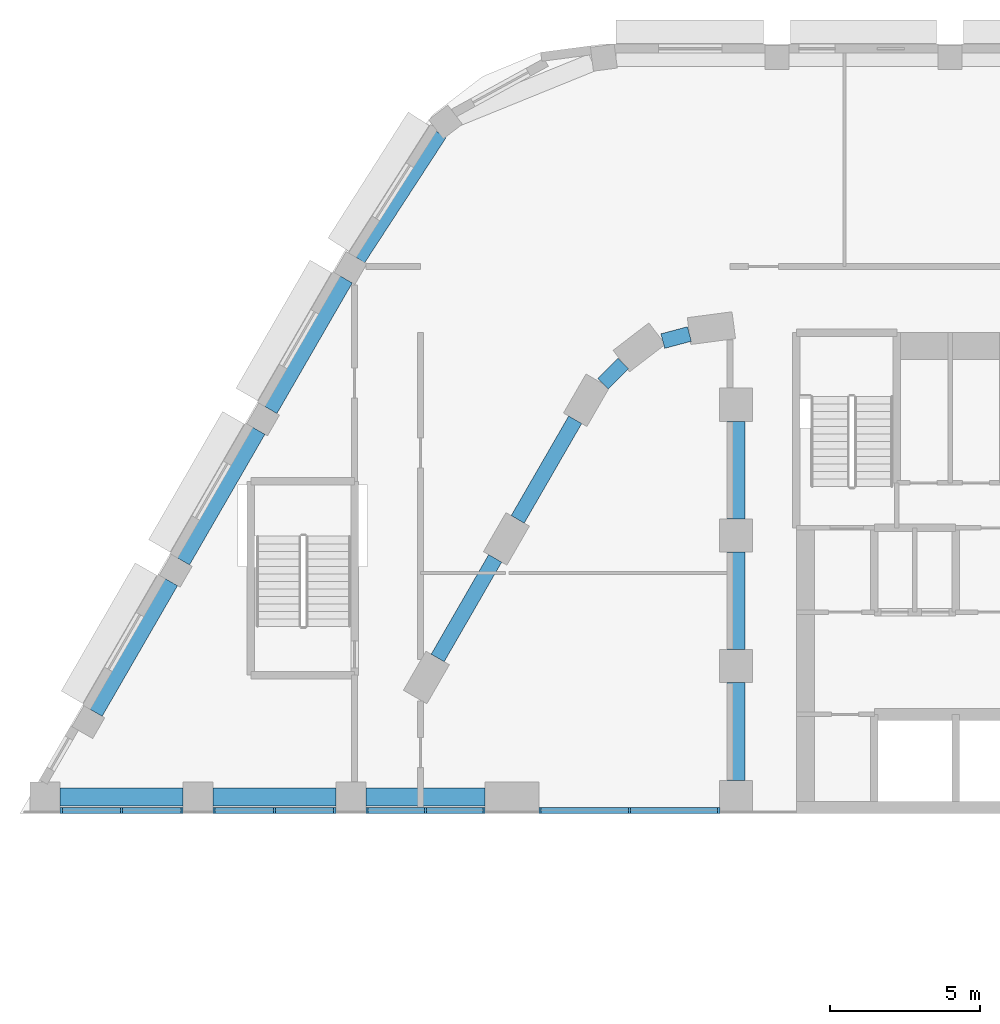
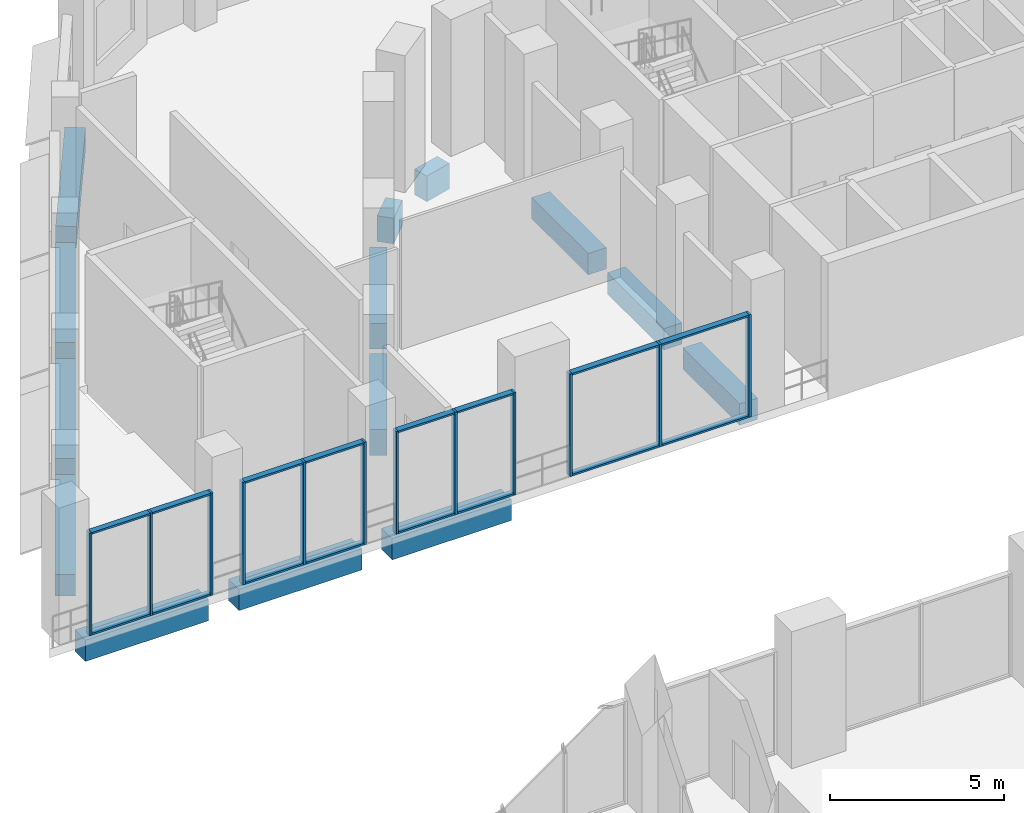
# One storey, part 5 of 45: 28 members, 14 beams, 4 elements without a shape of their own.
"""IFC4 building model written with IfcOpenShell, lengths in metres."""

from ifc_helpers import new_model, si_unit, direction, frame, origin, origin_2d, place, context, subcontext, project, spatial, rectangle, extrude, material, layer, layer_set, material_profile, profile_set, type_object, element, aggregate, save


model = new_model("IFC4")

# Units and contexts
model_context = context("Model", 3, precision=1e-05, world=origin(), true_north=direction((0.0, 1.0)))
body_context = subcontext(model_context, "Body", "Model", "MODEL_VIEW")
ifc_project = project(units=[si_unit("LENGTHUNIT", "METRE"), si_unit("AREAUNIT", "SQUARE_METRE"), si_unit("VOLUMEUNIT", "CUBIC_METRE"), si_unit("PLANEANGLEUNIT", "RADIAN"), si_unit("MASSUNIT", "GRAM", prefix="KILO")], contexts=[model_context])

# Site, building, storey
site_placement = place(None, origin())
site = spatial("IfcSite", under=ifc_project, at=site_placement, CompositionType="ELEMENT")
building_placement = place(site_placement, origin())
building = spatial("IfcBuilding", under=site, at=building_placement, Name="Nakaniwa Court", CompositionType="ELEMENT")
storey_placement = place(building_placement, frame((0.0, 0.0, 6.60009765625)))
storey = spatial("IfcBuildingStorey", under=building, at=storey_placement, Name="L01", CompositionType="ELEMENT", Elevation=6.60009765625)

# Beams
ifc_material_1 = material(Name="Concrete C100/115", Category="concrete")
ifc_material_profile_1 = material_profile(ifc_material_1, rectangle(XDim=0.5, YDim=0.89990234375, at=origin_2d()), Name="Concrete C100/115 RC 500x900 spandrel beam")
ifc_profile_set_1 = profile_set([ifc_material_profile_1], Name="Concrete C100/115")
beam_type_1 = type_object("IfcBeamType", Name="Concrete C100/115 RC 500x900 spandrel beam", PredefinedType="BEAM", material=ifc_profile_set_1)
beam_1_placement = place(storey_placement, frame((68.444580078125, 103.35546875, -0.75), z_axis=(-0.966287893493, -0.25746399144, 0.0), x_axis=(0.25746399144, -0.966287893493, 0.0)))
element("IfcBeam", 1, at=beam_1_placement, inside=storey, type_object=beam_type_1, Name="SPANDREL BEAM", PredefinedType="BEAM", context=body_context, shape_type="SweptSolid", body=[
    extrude(rectangle(XDim=0.5, YDim=0.89990234375, at=origin_2d()), origin(), (0.0, 0.0, 1.0), 0.91796875),
])
beam_2_placement = place(storey_placement, frame((66.238525390625, 102.374267578125, -0.75), z_axis=(-0.706081618928, -0.708130459317, 0.0), x_axis=(0.708130459317, -0.706081618928, 0.0)))
element("IfcBeam", 2, at=beam_2_placement, inside=storey, type_object=beam_type_1, Name="SPANDREL BEAM", PredefinedType="BEAM", context=body_context, shape_type="SweptSolid", body=[
    extrude(rectangle(XDim=0.5, YDim=0.89990234375, at=origin_2d()), origin(), (0.0, 0.0, 1.0), 0.953369140625),
])
beam_3_placement = place(storey_placement, frame((64.642578125, 100.5, -0.75), z_axis=(-0.500009674092, -0.866019818373, 0.0), x_axis=(0.866019818373, -0.500009674092, 0.0)))
element("IfcBeam", 3, at=beam_3_placement, inside=storey, type_object=beam_type_1, Name="SPANDREL BEAM", PredefinedType="BEAM", context=body_context, shape_type="SweptSolid", body=[
    extrude(rectangle(XDim=0.5, YDim=0.89990234375, at=origin_2d()), origin(), (0.0, 0.0, 1.0), 3.826171875),
])
beam_4_placement = place(storey_placement, frame((61.9794921875, 95.8876953125, -0.75), z_axis=(-0.499961815444, -0.866047448526, 0.0), x_axis=(0.866047448526, -0.499961815444, 0.0)))
element("IfcBeam", 4, at=beam_4_placement, inside=storey, type_object=beam_type_1, Name="SPANDREL BEAM", PredefinedType="BEAM", context=body_context, shape_type="SweptSolid", body=[
    extrude(rectangle(XDim=0.5, YDim=0.89990234375, at=origin_2d()), origin(), (0.0, 0.0, 1.0), 3.825927734375),
])
ifc_material_profile_2 = material_profile(ifc_material_1, rectangle(XDim=0.60009765625, YDim=0.75, at=origin_2d()), Name="Concrete C100/115 RC 600x750 ring beam")
ifc_profile_set_2 = profile_set([ifc_material_profile_2], Name="Concrete C100/115")
beam_type_2 = type_object("IfcBeamType", Name="Concrete C100/115 RC 600x750 ring beam", PredefinedType="BEAM", material=ifc_profile_set_2)
for number, where, z_axis, x_axis, name in (
    (5, (70.0, 100.449951171875, -0.675048828125), (0.0, -1.0, 0.0), (1.0, 0.0, 0.0), "RING BEAM"),
    (6, (70.0, 96.10009765625, -0.675048828125), (0.0, -1.0, 0.0), (1.0, 0.0, 0.0), "RING BEAM"),
    (7, (70.0, 91.75, -0.675048828125), (0.0, -1.0, 0.0), (1.0, 0.0, 0.0), "RING BEAM"),
):
    element("IfcBeam", number, at=place(storey_placement, frame(where, z_axis=z_axis, x_axis=x_axis)), inside=storey, type_object=beam_type_2, Name=name, PredefinedType="BEAM", context=body_context, shape_type="SweptSolid", body=[
        extrude(rectangle(XDim=0.60009765625, YDim=0.75, at=origin_2d()), origin(), (0.0, 0.0, 1.0), 3.25),
    ])
beam_5_placement = place(storey_placement, frame((60.096435546875, 110.05517578125, -0.675048828125), z_axis=(-0.545297150408, -0.838242815512, 0.0), x_axis=(0.838242815512, -0.545297150408, 0.0)))
element("IfcBeam", 8, at=beam_5_placement, inside=storey, type_object=beam_type_2, Name="RING BEAM", PredefinedType="BEAM", context=body_context, shape_type="SweptSolid", body=[
    extrude(rectangle(XDim=0.60009765625, YDim=0.75, at=origin_2d()), origin(), (0.0, 0.0, 1.0), 4.9736328125),
])
for number, where, z_axis, x_axis, name in (
    (9, (56.9658203125, 105.20361328125, -0.675048828125), (-0.499980823911, -0.866036474822, 0.0), (0.866036474822, -0.499980823911, 0.0), "RING BEAM"),
    (10, (54.057373046875, 100.166259765625, -0.675048828125), (-0.499980823911, -0.866036474822, 0.0), (0.866036474822, -0.499980823911, 0.0), "RING BEAM"),
    (11, (51.149169921875, 95.12890625, -0.675048828125), (-0.500017322015, -0.866015402684, 0.0), (0.866015402684, -0.500017322015, 0.0), "RING BEAM"),
):
    element("IfcBeam", number, at=place(storey_placement, frame(where, z_axis=z_axis, x_axis=x_axis)), inside=storey, type_object=beam_type_2, Name=name, PredefinedType="BEAM", context=body_context, shape_type="SweptSolid", body=[
        extrude(rectangle(XDim=0.60009765625, YDim=0.75, at=origin_2d()), origin(), (0.0, 0.0, 1.0), 5.016845703125),
    ])
beam_6_placement = place(storey_placement, frame((47.50390625, 87.949951171875, -0.675048828125), z_axis=(1.0, 0.0, 0.0), x_axis=(0.0, 1.0, 0.0)))
element("IfcBeam", 12, at=beam_6_placement, inside=storey, type_object=beam_type_2, Name="RING BEAM", PredefinedType="BEAM", context=body_context, shape_type="SweptSolid", body=[
    extrude(rectangle(XDim=0.60009765625, YDim=0.75, at=origin_2d()), origin(), (0.0, 0.0, 1.0), 4.087158203125),
])
beam_7_placement = place(storey_placement, frame((52.591064453125, 87.949951171875, -0.675048828125), z_axis=(1.0, 0.0, 0.0), x_axis=(0.0, 1.0, 0.0)))
element("IfcBeam", 13, at=beam_7_placement, inside=storey, type_object=beam_type_2, Name="RING BEAM", PredefinedType="BEAM", context=body_context, shape_type="SweptSolid", body=[
    extrude(rectangle(XDim=0.60009765625, YDim=0.75, at=origin_2d()), origin(), (0.0, 0.0, 1.0), 4.0859375),
])
beam_8_placement = place(storey_placement, frame((57.677001953125, 87.949951171875, -0.675048828125), z_axis=(1.0, 0.0, 0.0), x_axis=(0.0, 1.0, 0.0)))
element("IfcBeam", 14, at=beam_8_placement, inside=storey, type_object=beam_type_2, Name="RING BEAM", PredefinedType="BEAM", context=body_context, shape_type="SweptSolid", body=[
    extrude(rectangle(XDim=0.60009765625, YDim=0.75, at=origin_2d()), origin(), (0.0, 0.0, 1.0), 3.965087890625),
])

# Curtain wall, members
ifc_material_2 = material(Name="Black anodised aluminium frame with dark low-E laminated double glazing", Category="aluminium")
ifc_layer = layer(ifc_material_2, 0.199951171875)
ifc_layer_set = layer_set([ifc_layer], Name="Black anodised aluminium frame with dark low-E laminated double glazing")
curtain_wall_type = type_object("IfcCurtainWallType", Name="Portal side curtain wall", PredefinedType="NOTDEFINED", material=ifc_layer_set)
curtain_wall_1_placement = place(storey_placement, origin())
curtain_wall_1 = element("IfcCurtainWall", 15, at=curtain_wall_1_placement, inside=storey, type_object=curtain_wall_type, Name="L01 curtain wall CW5 31", PredefinedType="NOTDEFINED")
ifc_material_3 = material(Name="Black anodised aluminium extrusion", Category="aluminium")
ifc_material_profile_3 = material_profile(ifc_material_3, rectangle(XDim=0.199951171875, YDim=0.074951171875, at=origin_2d()), Name="Portal side curtain wall mullion 75x200")
ifc_profile_set_3 = profile_set([ifc_material_profile_3], Name="Black anodised aluminium extrusion")
member_type_1 = type_object("IfcMemberType", Name="Portal side curtain wall mullion 75x200", PredefinedType="MULLION", material=ifc_profile_set_3)
member_1_placement = place(storey_placement, frame((47.53759765625, 87.5, 0.0), z_axis=(0.0, 0.0, 1.0), x_axis=(0.0, 1.0, 0.0)))
member_1 = element("IfcMember", 16, at=member_1_placement, type_object=member_type_1, Name="CW5 mullion 1", PredefinedType="MULLION", context=body_context, shape_type="SweptSolid", body=[
    extrude(rectangle(XDim=0.199951171875, YDim=0.074951171875, at=origin_2d()), origin(), (0.0, 0.0, 1.0), 3.599853515625),
])
member_2_placement = place(storey_placement, frame((49.547607421875, 87.5, 0.0), z_axis=(0.0, 0.0, 1.0), x_axis=(0.0, 1.0, 0.0)))
member_2 = element("IfcMember", 17, at=member_2_placement, type_object=member_type_1, Name="CW5 mullion 2", PredefinedType="MULLION", context=body_context, shape_type="SweptSolid", body=[
    extrude(rectangle(XDim=0.199951171875, YDim=0.074951171875, at=origin_2d()), origin(), (0.0, 0.0, 1.0), 3.599853515625),
])
member_3_placement = place(storey_placement, frame((51.5576171875, 87.5, 0.0), z_axis=(0.0, 0.0, 1.0), x_axis=(0.0, 1.0, 0.0)))
member_3 = element("IfcMember", 18, at=member_3_placement, type_object=member_type_1, Name="CW5 mullion 3", PredefinedType="MULLION", context=body_context, shape_type="SweptSolid", body=[
    extrude(rectangle(XDim=0.199951171875, YDim=0.074951171875, at=origin_2d()), origin(), (0.0, 0.0, 1.0), 3.599853515625),
])

curtain_wall_2_placement = place(storey_placement, origin())
curtain_wall_2 = element("IfcCurtainWall", 19, at=curtain_wall_2_placement, inside=storey, type_object=curtain_wall_type, Name="L01 curtain wall CW5 32", PredefinedType="NOTDEFINED")
member_4_placement = place(storey_placement, frame((52.62451171875, 87.5, 0.0), z_axis=(0.0, 0.0, 1.0), x_axis=(0.0, 1.0, 0.0)))
member_4 = element("IfcMember", 20, at=member_4_placement, type_object=member_type_1, Name="CW5 mullion 1", PredefinedType="MULLION", context=body_context, shape_type="SweptSolid", body=[
    extrude(rectangle(XDim=0.199951171875, YDim=0.074951171875, at=origin_2d()), origin(), (0.0, 0.0, 1.0), 3.599853515625),
])
member_5_placement = place(storey_placement, frame((54.634033203125, 87.5, 0.0), z_axis=(0.0, 0.0, 1.0), x_axis=(0.0, 1.0, 0.0)))
member_5 = element("IfcMember", 21, at=member_5_placement, type_object=member_type_1, Name="CW5 mullion 2", PredefinedType="MULLION", context=body_context, shape_type="SweptSolid", body=[
    extrude(rectangle(XDim=0.199951171875, YDim=0.074951171875, at=origin_2d()), origin(), (0.0, 0.0, 1.0), 3.599853515625),
])
member_6_placement = place(storey_placement, frame((56.6435546875, 87.5, 0.0), z_axis=(0.0, 0.0, 1.0), x_axis=(0.0, 1.0, 0.0)))
member_6 = element("IfcMember", 22, at=member_6_placement, type_object=member_type_1, Name="CW5 mullion 3", PredefinedType="MULLION", context=body_context, shape_type="SweptSolid", body=[
    extrude(rectangle(XDim=0.199951171875, YDim=0.074951171875, at=origin_2d()), origin(), (0.0, 0.0, 1.0), 3.599853515625),
])

curtain_wall_3_placement = place(storey_placement, origin())
curtain_wall_3 = element("IfcCurtainWall", 23, at=curtain_wall_3_placement, inside=storey, type_object=curtain_wall_type, Name="L01 curtain wall CW5 33", PredefinedType="NOTDEFINED")
member_7_placement = place(storey_placement, frame((57.71044921875, 87.5, 0.0), z_axis=(0.0, 0.0, 1.0), x_axis=(0.0, 1.0, 0.0)))
member_7 = element("IfcMember", 24, at=member_7_placement, type_object=member_type_1, Name="CW5 mullion 1", PredefinedType="MULLION", context=body_context, shape_type="SweptSolid", body=[
    extrude(rectangle(XDim=0.199951171875, YDim=0.074951171875, at=origin_2d()), origin(), (0.0, 0.0, 1.0), 3.599853515625),
])
member_8_placement = place(storey_placement, frame((59.659423828125, 87.5, 0.0), z_axis=(0.0, 0.0, 1.0), x_axis=(0.0, 1.0, 0.0)))
member_8 = element("IfcMember", 25, at=member_8_placement, type_object=member_type_1, Name="CW5 mullion 2", PredefinedType="MULLION", context=body_context, shape_type="SweptSolid", body=[
    extrude(rectangle(XDim=0.199951171875, YDim=0.074951171875, at=origin_2d()), origin(), (0.0, 0.0, 1.0), 3.599853515625),
])
member_9_placement = place(storey_placement, frame((61.6083984375, 87.5, 0.0), z_axis=(0.0, 0.0, 1.0), x_axis=(0.0, 1.0, 0.0)))
member_9 = element("IfcMember", 26, at=member_9_placement, type_object=member_type_1, Name="CW5 mullion 3", PredefinedType="MULLION", context=body_context, shape_type="SweptSolid", body=[
    extrude(rectangle(XDim=0.199951171875, YDim=0.074951171875, at=origin_2d()), origin(), (0.0, 0.0, 1.0), 3.599853515625),
])

curtain_wall_4_placement = place(storey_placement, origin())
curtain_wall_4 = element("IfcCurtainWall", 27, at=curtain_wall_4_placement, inside=storey, type_object=curtain_wall_type, Name="L01 curtain wall CW5 34", PredefinedType="NOTDEFINED")
member_10_placement = place(storey_placement, frame((63.4755859375, 87.5, 0.0), z_axis=(0.0, 0.0, 1.0), x_axis=(0.0, 1.0, 0.0)))
member_10 = element("IfcMember", 28, at=member_10_placement, type_object=member_type_1, Name="CW5 mullion 1", PredefinedType="MULLION", context=body_context, shape_type="SweptSolid", body=[
    extrude(rectangle(XDim=0.199951171875, YDim=0.074951171875, at=origin_2d()), origin(), (0.0, 0.0, 1.0), 3.599853515625),
])
member_11_placement = place(storey_placement, frame((66.446044921875, 87.5, 0.0), z_axis=(0.0, 0.0, 1.0), x_axis=(0.0, 1.0, 0.0)))
member_11 = element("IfcMember", 29, at=member_11_placement, type_object=member_type_1, Name="CW5 mullion 2", PredefinedType="MULLION", context=body_context, shape_type="SweptSolid", body=[
    extrude(rectangle(XDim=0.199951171875, YDim=0.074951171875, at=origin_2d()), origin(), (0.0, 0.0, 1.0), 3.599853515625),
])
member_12_placement = place(storey_placement, frame((69.41650390625, 87.5, 0.0), z_axis=(0.0, 0.0, 1.0), x_axis=(0.0, 1.0, 0.0)))
member_12 = element("IfcMember", 30, at=member_12_placement, type_object=member_type_1, Name="CW5 mullion 3", PredefinedType="MULLION", context=body_context, shape_type="SweptSolid", body=[
    extrude(rectangle(XDim=0.199951171875, YDim=0.074951171875, at=origin_2d()), origin(), (0.0, 0.0, 1.0), 3.599853515625),
])

# Member
ifc_material_profile_4 = material_profile(ifc_material_3, rectangle(XDim=0.199951171875, YDim=0.06494140625, at=origin_2d()), Name="Portal side curtain wall transom 65x200")
ifc_profile_set_4 = profile_set([ifc_material_profile_4], Name="Black anodised aluminium extrusion")
member_type_2 = type_object("IfcMemberType", Name="Portal side curtain wall transom 65x200", PredefinedType="USERDEFINED", material=ifc_profile_set_4)
member_13_placement = place(storey_placement, frame((47.574951171875, 87.5, 0.032470703125), z_axis=(1.0, 0.0, 0.0), x_axis=(0.0, 1.0, 0.0)))
member_13 = element("IfcMember", 31, at=member_13_placement, type_object=member_type_2, Name="CW5 transom 1.1", ObjectType="TRANSOM", PredefinedType="USERDEFINED", context=body_context, shape_type="SweptSolid", body=[
    extrude(rectangle(XDim=0.199951171875, YDim=0.06494140625, at=origin_2d()), origin(), (0.0, 0.0, 1.0), 1.93505859375),
])

member_14_placement = place(storey_placement, frame((47.574951171875, 87.5, 3.5673828125), z_axis=(1.0, 0.0, 0.0), x_axis=(0.0, 1.0, 0.0)))
member_14 = element("IfcMember", 32, at=member_14_placement, type_object=member_type_2, Name="CW5 transom 1.2", ObjectType="TRANSOM", PredefinedType="USERDEFINED", context=body_context, shape_type="SweptSolid", body=[
    extrude(rectangle(XDim=0.199951171875, YDim=0.06494140625, at=origin_2d()), origin(), (0.0, 0.0, 1.0), 1.93505859375),
])

member_15_placement = place(storey_placement, frame((49.5849609375, 87.5, 0.032470703125), z_axis=(1.0, 0.0, 0.0), x_axis=(0.0, 1.0, 0.0)))
member_15 = element("IfcMember", 33, at=member_15_placement, type_object=member_type_2, Name="CW5 transom 2.1", ObjectType="TRANSOM", PredefinedType="USERDEFINED", context=body_context, shape_type="SweptSolid", body=[
    extrude(rectangle(XDim=0.199951171875, YDim=0.06494140625, at=origin_2d()), origin(), (0.0, 0.0, 1.0), 1.93505859375),
])

member_16_placement = place(storey_placement, frame((49.5849609375, 87.5, 3.5673828125), z_axis=(1.0, 0.0, 0.0), x_axis=(0.0, 1.0, 0.0)))
member_16 = element("IfcMember", 34, at=member_16_placement, type_object=member_type_2, Name="CW5 transom 2.2", ObjectType="TRANSOM", PredefinedType="USERDEFINED", context=body_context, shape_type="SweptSolid", body=[
    extrude(rectangle(XDim=0.199951171875, YDim=0.06494140625, at=origin_2d()), origin(), (0.0, 0.0, 1.0), 1.93505859375),
])

aggregate(curtain_wall_1, [member_1, member_2, member_3, member_13, member_14, member_15, member_16])

member_17_placement = place(storey_placement, frame((52.662109375, 87.5, 0.032470703125), z_axis=(1.0, 0.0, 0.0), x_axis=(0.0, 1.0, 0.0)))
member_17 = element("IfcMember", 35, at=member_17_placement, type_object=member_type_2, Name="CW5 transom 1.1", ObjectType="TRANSOM", PredefinedType="USERDEFINED", context=body_context, shape_type="SweptSolid", body=[
    extrude(rectangle(XDim=0.199951171875, YDim=0.06494140625, at=origin_2d()), origin(), (0.0, 0.0, 1.0), 1.934326171875),
])

member_18_placement = place(storey_placement, frame((52.662109375, 87.5, 3.5673828125), z_axis=(1.0, 0.0, 0.0), x_axis=(0.0, 1.0, 0.0)))
member_18 = element("IfcMember", 36, at=member_18_placement, type_object=member_type_2, Name="CW5 transom 1.2", ObjectType="TRANSOM", PredefinedType="USERDEFINED", context=body_context, shape_type="SweptSolid", body=[
    extrude(rectangle(XDim=0.199951171875, YDim=0.06494140625, at=origin_2d()), origin(), (0.0, 0.0, 1.0), 1.934326171875),
])

member_19_placement = place(storey_placement, frame((54.67138671875, 87.5, 0.032470703125), z_axis=(1.0, 0.0, 0.0), x_axis=(0.0, 1.0, 0.0)))
member_19 = element("IfcMember", 37, at=member_19_placement, type_object=member_type_2, Name="CW5 transom 2.1", ObjectType="TRANSOM", PredefinedType="USERDEFINED", context=body_context, shape_type="SweptSolid", body=[
    extrude(rectangle(XDim=0.199951171875, YDim=0.06494140625, at=origin_2d()), origin(), (0.0, 0.0, 1.0), 1.9345703125),
])

member_20_placement = place(storey_placement, frame((54.67138671875, 87.5, 3.5673828125), z_axis=(1.0, 0.0, 0.0), x_axis=(0.0, 1.0, 0.0)))
member_20 = element("IfcMember", 38, at=member_20_placement, type_object=member_type_2, Name="CW5 transom 2.2", ObjectType="TRANSOM", PredefinedType="USERDEFINED", context=body_context, shape_type="SweptSolid", body=[
    extrude(rectangle(XDim=0.199951171875, YDim=0.06494140625, at=origin_2d()), origin(), (0.0, 0.0, 1.0), 1.9345703125),
])

aggregate(curtain_wall_2, [member_4, member_5, member_6, member_17, member_18, member_19, member_20])

member_21_placement = place(storey_placement, frame((57.748046875, 87.5, 0.032470703125), z_axis=(1.0, 0.0, 0.0), x_axis=(0.0, 1.0, 0.0)))
member_21 = element("IfcMember", 39, at=member_21_placement, type_object=member_type_2, Name="CW5 transom 1.1", ObjectType="TRANSOM", PredefinedType="USERDEFINED", context=body_context, shape_type="SweptSolid", body=[
    extrude(rectangle(XDim=0.199951171875, YDim=0.06494140625, at=origin_2d()), origin(), (0.0, 0.0, 1.0), 1.8740234375),
])

member_22_placement = place(storey_placement, frame((57.748046875, 87.5, 3.5673828125), z_axis=(1.0, 0.0, 0.0), x_axis=(0.0, 1.0, 0.0)))
member_22 = element("IfcMember", 40, at=member_22_placement, type_object=member_type_2, Name="CW5 transom 1.2", ObjectType="TRANSOM", PredefinedType="USERDEFINED", context=body_context, shape_type="SweptSolid", body=[
    extrude(rectangle(XDim=0.199951171875, YDim=0.06494140625, at=origin_2d()), origin(), (0.0, 0.0, 1.0), 1.8740234375),
])

member_23_placement = place(storey_placement, frame((59.697021484375, 87.5, 0.032470703125), z_axis=(1.0, 0.0, 0.0), x_axis=(0.0, 1.0, 0.0)))
member_23 = element("IfcMember", 41, at=member_23_placement, type_object=member_type_2, Name="CW5 transom 2.1", ObjectType="TRANSOM", PredefinedType="USERDEFINED", context=body_context, shape_type="SweptSolid", body=[
    extrude(rectangle(XDim=0.199951171875, YDim=0.06494140625, at=origin_2d()), origin(), (0.0, 0.0, 1.0), 1.8740234375),
])

member_24_placement = place(storey_placement, frame((59.697021484375, 87.5, 3.5673828125), z_axis=(1.0, 0.0, 0.0), x_axis=(0.0, 1.0, 0.0)))
member_24 = element("IfcMember", 42, at=member_24_placement, type_object=member_type_2, Name="CW5 transom 2.2", ObjectType="TRANSOM", PredefinedType="USERDEFINED", context=body_context, shape_type="SweptSolid", body=[
    extrude(rectangle(XDim=0.199951171875, YDim=0.06494140625, at=origin_2d()), origin(), (0.0, 0.0, 1.0), 1.8740234375),
])

aggregate(curtain_wall_3, [member_7, member_8, member_9, member_21, member_22, member_23, member_24])

member_25_placement = place(storey_placement, frame((63.512939453125, 87.5, 0.032470703125), z_axis=(1.0, 0.0, 0.0), x_axis=(0.0, 1.0, 0.0)))
member_25 = element("IfcMember", 43, at=member_25_placement, type_object=member_type_2, Name="CW5 transom 1.1", ObjectType="TRANSOM", PredefinedType="USERDEFINED", context=body_context, shape_type="SweptSolid", body=[
    extrude(rectangle(XDim=0.199951171875, YDim=0.06494140625, at=origin_2d()), origin(), (0.0, 0.0, 1.0), 2.8955078125),
])

member_26_placement = place(storey_placement, frame((63.512939453125, 87.5, 3.5673828125), z_axis=(1.0, 0.0, 0.0), x_axis=(0.0, 1.0, 0.0)))
member_26 = element("IfcMember", 44, at=member_26_placement, type_object=member_type_2, Name="CW5 transom 1.2", ObjectType="TRANSOM", PredefinedType="USERDEFINED", context=body_context, shape_type="SweptSolid", body=[
    extrude(rectangle(XDim=0.199951171875, YDim=0.06494140625, at=origin_2d()), origin(), (0.0, 0.0, 1.0), 2.8955078125),
])

member_27_placement = place(storey_placement, frame((66.4833984375, 87.5, 0.032470703125), z_axis=(1.0, 0.0, 0.0), x_axis=(0.0, 1.0, 0.0)))
member_27 = element("IfcMember", 45, at=member_27_placement, type_object=member_type_2, Name="CW5 transom 2.1", ObjectType="TRANSOM", PredefinedType="USERDEFINED", context=body_context, shape_type="SweptSolid", body=[
    extrude(rectangle(XDim=0.199951171875, YDim=0.06494140625, at=origin_2d()), origin(), (0.0, 0.0, 1.0), 2.8955078125),
])

member_28_placement = place(storey_placement, frame((66.4833984375, 87.5, 3.5673828125), z_axis=(1.0, 0.0, 0.0), x_axis=(0.0, 1.0, 0.0)))
member_28 = element("IfcMember", 46, at=member_28_placement, type_object=member_type_2, Name="CW5 transom 2.2", ObjectType="TRANSOM", PredefinedType="USERDEFINED", context=body_context, shape_type="SweptSolid", body=[
    extrude(rectangle(XDim=0.199951171875, YDim=0.06494140625, at=origin_2d()), origin(), (0.0, 0.0, 1.0), 2.8955078125),
])

aggregate(curtain_wall_4, [member_10, member_11, member_12, member_25, member_26, member_27, member_28])

save(model, "model.ifc")
